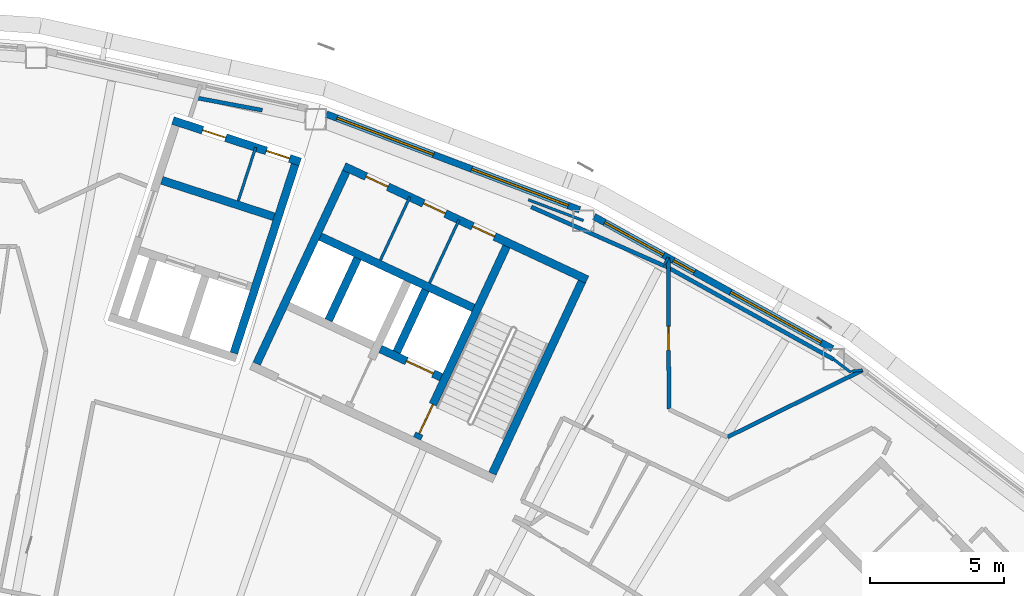
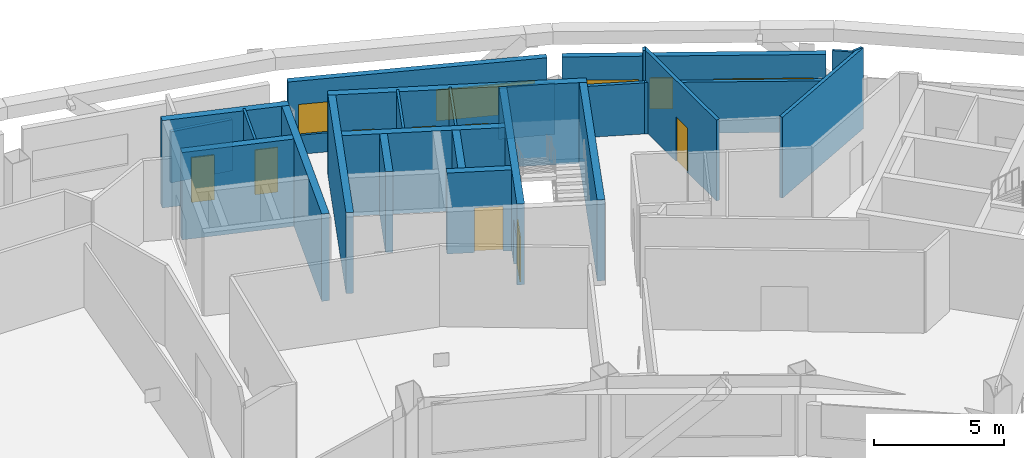
# One storey, part 10 of 21: 25 walls, 8 doors, 5 windows, 13 openings.
"""IFC4 building model written with IfcOpenShell, lengths in metres."""

from ifc_helpers import new_model, si_unit, direction, frame, frame_2d, origin, place, context, subcontext, project, spatial, rectangle, extrude, material, layer, layer_set, type_object, element, fill, save


model = new_model("IFC4")

# Units and contexts
model_context = context("Model", 3, precision=1e-05, world=origin(), true_north=direction((0.0, 1.0)))
body_context = subcontext(model_context, "Body", "Model", "MODEL_VIEW")
ifc_project = project(units=[si_unit("LENGTHUNIT", "METRE"), si_unit("AREAUNIT", "SQUARE_METRE"), si_unit("VOLUMEUNIT", "CUBIC_METRE"), si_unit("PLANEANGLEUNIT", "RADIAN"), si_unit("MASSUNIT", "GRAM", prefix="KILO")], contexts=[model_context])

# Site, building, storey
site_placement = place(None, origin())
site = spatial("IfcSite", under=ifc_project, at=site_placement, CompositionType="ELEMENT")
building_placement = place(site_placement, origin())
building = spatial("IfcBuilding", under=site, at=building_placement, Name="Tuul Gate Civic Tower", CompositionType="ELEMENT")
storey_placement = place(building_placement, frame((0.0, 0.0, 311.0)))
storey = spatial("IfcBuildingStorey", under=building, at=storey_placement, Name="Level 70", CompositionType="ELEMENT", Elevation=311.0)

# Wall, opening, door
ifc_material_1 = material(Name="Concrete C50/60", Category="concrete")
ifc_layer_1 = layer(ifc_material_1, 0.300048828125)
ifc_layer_set_1 = layer_set([ifc_layer_1], Name="Concrete C50/60")
wall_type_1 = type_object("IfcWallType", Name="Core wall C50/60", PredefinedType="SHEAR", material=ifc_layer_set_1)
wall_1_placement = place(storey_placement, frame((32.545654296875, -3.456787109375, 0.0), z_axis=(0.0, 0.0, 1.0), x_axis=(-0.906300357825, 0.42263419337, 0.0)))
wall_1 = element("IfcWall", 1, at=wall_1_placement, inside=storey, type_object=wall_type_1, Name="Core wall", PredefinedType="SHEAR", context=body_context, shape_type="SweptSolid", body=[
    extrude(rectangle(XDim=2.500244140625, YDim=0.300048828125, at=frame_2d((1.25, 0.0))), origin(), (0.0, 0.0, 1.0), 3.800048828125),
])
opening_1_placement = place(wall_1_placement, frame((0.324951171875, 0.0, 0.0)))
opening_1 = element("IfcOpeningElement", 2, at=opening_1_placement, cuts=wall_1, Name="Opening LD-FF-2", PredefinedType="OPENING", context=body_context, shape_type="SweptSolid", body=[
    extrude(rectangle(XDim=1.10009765625, YDim=2.10009765625, at=frame_2d((0.550048828125, 1.050048828125))), frame((0.0, 0.16015625, 0.0), z_axis=(0.0, -1.0, 0.0), x_axis=(1.0, 0.0, 0.0)), (0.0, 0.0, 1.0), 0.320068359375),
])
ifc_material_2 = material(Name="Stainless steel", Category="steel")
door_type_1 = type_object("IfcDoorType", Name="Landing door", OperationType="DOUBLE_DOOR_SLIDING", PredefinedType="DOOR", material=ifc_material_2)
door_1_placement = place(opening_1_placement, origin())
door_1 = element("IfcDoor", 3, at=door_1_placement, inside=storey, type_object=door_type_1, Name="Fire-fighting lift FF-2 landing door", OperationType="DOUBLE_DOOR_SLIDING", OverallHeight=2.10009765625, OverallWidth=1.10009765625, PredefinedType="DOOR", context=body_context, shape_type="SweptSolid", body=[
    extrude(rectangle(XDim=1.10009765625, YDim=2.10009765625, at=frame_2d((0.550048828125, 1.050048828125))), frame((0.0, 0.02490234375, 0.0), z_axis=(0.0, -1.0, 0.0), x_axis=(1.0, 0.0, 0.0)), (0.0, 0.0, 1.0), 0.050048828125),
])
fill(opening_1, door_1)

# Wall
wall_2_placement = place(storey_placement, frame((33.75, -0.873779296875, 0.0), z_axis=(0.0, 0.0, 1.0), x_axis=(-0.906300917592, 0.422632992999, 0.0)))
element("IfcWall", 4, at=wall_2_placement, inside=storey, type_object=wall_type_1, Name="Core wall", PredefinedType="SHEAR", context=body_context, shape_type="SweptSolid", body=[
    extrude(rectangle(XDim=6.300048828125, YDim=0.300048828125, at=frame_2d((3.14990234375, 0.0))), origin(), (0.0, 0.0, 1.0), 3.800048828125),
])

# Wall, openings, doors
wall_3_placement = place(storey_placement, frame((37.993408203125, 0.181884765625, 0.0), z_axis=(0.0, 0.0, 1.0), x_axis=(-0.906310338845, 0.422612789327, 0.0)))
wall_3 = element("IfcWall", 5, at=wall_3_placement, inside=storey, type_object=wall_type_1, Name="Core wall", PredefinedType="SHEAR", context=body_context, shape_type="SweptSolid", body=[
    extrude(rectangle(XDim=9.999755859375, YDim=0.300048828125, at=frame_2d((5.0, 0.0))), origin(), (0.0, 0.0, 1.0), 3.800048828125),
])
opening_2_placement = place(wall_3_placement, frame((3.8125, 0.0, 0.0)))
opening_2 = element("IfcOpeningElement", 6, at=opening_2_placement, cuts=wall_3, Name="Opening Z-D18", PredefinedType="OPENING", context=body_context, shape_type="SweptSolid", body=[
    extrude(rectangle(XDim=0.89990234375, YDim=2.10009765625, at=frame_2d((0.449951171875, 1.050048828125))), frame((0.0, 0.16015625, 0.0), z_axis=(0.0, -1.0, 0.0), x_axis=(1.0, 0.0, 0.0)), (0.0, 0.0, 1.0), 0.320068359375),
])
opening_3_placement = place(wall_3_placement, frame((5.83740234375, 0.0, 0.0)))
opening_3 = element("IfcOpeningElement", 7, at=opening_3_placement, cuts=wall_3, Name="Opening Z-D19", PredefinedType="OPENING", context=body_context, shape_type="SweptSolid", body=[
    extrude(rectangle(XDim=0.89990234375, YDim=2.10009765625, at=frame_2d((0.449951171875, 1.050048828125))), frame((0.0, 0.16015625, 0.0), z_axis=(0.0, -1.0, 0.0), x_axis=(1.0, 0.0, 0.0)), (0.0, 0.0, 1.0), 0.320068359375),
])
opening_4_placement = place(wall_3_placement, frame((8.199951171875, 0.0, 0.0)))
opening_4 = element("IfcOpeningElement", 8, at=opening_4_placement, cuts=wall_3, Name="Opening Z-D20", PredefinedType="OPENING", context=body_context, shape_type="SweptSolid", body=[
    extrude(rectangle(XDim=0.89990234375, YDim=2.10009765625, at=frame_2d((0.449951171875, 1.050048828125))), frame((0.0, 0.16015625, 0.0), z_axis=(0.0, -1.0, 0.0), x_axis=(1.0, 0.0, 0.0)), (0.0, 0.0, 1.0), 0.320068359375),
])
ifc_material_3 = material(Name="Timber door leaf", Category="wood")
door_type_2 = type_object("IfcDoorType", Name="Door D09", OperationType="NOTDEFINED", PredefinedType="DOOR", material=ifc_material_3)
door_2_placement = place(opening_2_placement, origin())
door_2 = element("IfcDoor", 9, at=door_2_placement, inside=storey, type_object=door_type_2, Name="Door Z-D18", OperationType="SINGLE_SWING_LEFT", OverallHeight=2.10009765625, OverallWidth=0.89990234375, PredefinedType="DOOR", context=body_context, shape_type="SweptSolid", body=[
    extrude(rectangle(XDim=0.89990234375, YDim=2.10009765625, at=frame_2d((0.449951171875, 1.050048828125))), frame((0.0, 0.02490234375, 0.0), z_axis=(0.0, -1.0, 0.0), x_axis=(1.0, 0.0, 0.0)), (0.0, 0.0, 1.0), 0.050048828125),
])
fill(opening_2, door_2)
door_3_placement = place(opening_3_placement, origin())
door_3 = element("IfcDoor", 10, at=door_3_placement, inside=storey, type_object=door_type_2, Name="Door Z-D19", OperationType="SINGLE_SWING_LEFT", OverallHeight=2.10009765625, OverallWidth=0.89990234375, PredefinedType="DOOR", context=body_context, shape_type="SweptSolid", body=[
    extrude(rectangle(XDim=0.89990234375, YDim=2.10009765625, at=frame_2d((0.449951171875, 1.050048828125))), frame((0.0, 0.02490234375, 0.0), z_axis=(0.0, -1.0, 0.0), x_axis=(1.0, 0.0, 0.0)), (0.0, 0.0, 1.0), 0.050048828125),
])
fill(opening_3, door_3)
door_4_placement = place(opening_4_placement, origin())
door_4 = element("IfcDoor", 11, at=door_4_placement, inside=storey, type_object=door_type_2, Name="Door Z-D20", OperationType="SINGLE_SWING_RIGHT", OverallHeight=2.10009765625, OverallWidth=0.89990234375, PredefinedType="DOOR", context=body_context, shape_type="SweptSolid", body=[
    extrude(rectangle(XDim=0.89990234375, YDim=2.10009765625, at=frame_2d((0.449951171875, 1.050048828125))), frame((0.0, 0.02490234375, 0.0), z_axis=(0.0, -1.0, 0.0), x_axis=(1.0, 0.0, 0.0)), (0.0, 0.0, 1.0), 0.050048828125),
])
fill(opening_4, door_4)

# Wall
wall_4_placement = place(storey_placement, frame((34.455810546875, -7.05078125, 0.0), z_axis=(0.0, 0.0, 1.0), x_axis=(0.422570768258, 0.906329932096, 0.0)))
element("IfcWall", 12, at=wall_4_placement, inside=storey, type_object=wall_type_1, Name="Core wall", PredefinedType="SHEAR", context=body_context, shape_type="SweptSolid", body=[
    extrude(rectangle(XDim=7.900146484375, YDim=0.300048828125, at=frame_2d((3.9501953125, 0.0))), origin(), (0.0, 0.0, 1.0), 3.800048828125),
])

# Wall, opening, door
wall_5_placement = place(storey_placement, frame((31.646240234375, -5.740478515625, 0.0), z_axis=(0.0, 0.0, 1.0), x_axis=(0.422582604137, 0.906324413596, 0.0)))
wall_5 = element("IfcWall", 13, at=wall_5_placement, inside=storey, type_object=wall_type_1, Name="Core wall", PredefinedType="SHEAR", context=body_context, shape_type="SweptSolid", body=[
    extrude(rectangle(XDim=7.89990234375, YDim=0.300048828125, at=frame_2d((3.949951171875, 0.0))), origin(), (0.0, 0.0, 1.0), 3.800048828125),
])
opening_5_placement = place(wall_5_placement, frame((0.199951171875, 0.0, 0.0)))
opening_5 = element("IfcOpeningElement", 14, at=opening_5_placement, cuts=wall_5, Name="Opening SD-ST-4", PredefinedType="OPENING", context=body_context, shape_type="SweptSolid", body=[
    extrude(rectangle(XDim=1.199951171875, YDim=2.10009765625, at=frame_2d((0.60009765625, 1.050048828125))), frame((0.0, 0.16015625, 0.0), z_axis=(0.0, -1.0, 0.0), x_axis=(1.0, 0.0, 0.0)), (0.0, 0.0, 1.0), 0.320068359375),
])
ifc_material_4 = material(Name="Steel", Category="steel")
door_type_3 = type_object("IfcDoorType", Name="Stair door", OperationType="NOTDEFINED", PredefinedType="DOOR", material=ifc_material_4)
door_5_placement = place(opening_5_placement, origin())
door_5 = element("IfcDoor", 15, at=door_5_placement, inside=storey, type_object=door_type_3, Name="Stair door ST-4", OperationType="SINGLE_SWING_LEFT", OverallHeight=2.10009765625, OverallWidth=1.199951171875, PredefinedType="DOOR", context=body_context, shape_type="SweptSolid", body=[
    extrude(rectangle(XDim=1.199951171875, YDim=2.10009765625, at=frame_2d((0.60009765625, 1.050048828125))), frame((0.0, 0.02490234375, 0.0), z_axis=(0.0, -1.0, 0.0), x_axis=(1.0, 0.0, 0.0)), (0.0, 0.0, 1.0), 0.050048828125),
])
fill(opening_5, door_5)

# Walls
for number, where, z_axis, x_axis, name in (
    (16, (30.886962890625, -2.517822265625, 0.0), (0.0, 0.0, 1.0), (0.422612891016, 0.906310291427, 0.0), "Core wall"),
    (17, (28.349365234375, -1.33447265625, 0.0), (0.0, 0.0, 1.0), (0.422612891016, 0.906310291427, 0.0), "Core wall"),
):
    element("IfcWall", number, at=place(storey_placement, frame(where, z_axis=z_axis, x_axis=x_axis)), inside=storey, type_object=wall_type_1, Name=name, PredefinedType="SHEAR", context=body_context, shape_type="SweptSolid", body=[
        extrude(rectangle(XDim=2.550048828125, YDim=0.300048828125, at=frame_2d((1.27490234375, 0.0))), origin(), (0.0, 0.0, 1.0), 3.800048828125),
    ])
wall_6_placement = place(storey_placement, frame((25.66455078125, -2.951416015625, 0.0), z_axis=(0.0, 0.0, 1.0), x_axis=(0.422582604137, 0.906324413596, 0.0)))
element("IfcWall", 18, at=wall_6_placement, inside=storey, type_object=wall_type_1, Name="Core wall", PredefinedType="SHEAR", context=body_context, shape_type="SweptSolid", body=[
    extrude(rectangle(XDim=7.89990234375, YDim=0.300048828125, at=frame_2d((3.949951171875, 0.0))), origin(), (0.0, 0.0, 1.0), 3.800048828125),
])
ifc_material_5 = material(Name="Gypsum board partition")
ifc_layer_2 = layer(ifc_material_5, 0.14990234375)
ifc_layer_set_2 = layer_set([ifc_layer_2], Name="Gypsum board partition")
wall_type_2 = type_object("IfcWallType", Name="Corridor wall P150", PredefinedType="PARTITIONING", material=ifc_layer_set_2)
wall_7_placement = place(storey_placement, frame((43.229736328125, -5.68701171875, 0.0), z_axis=(0.0, 0.0, 1.0), x_axis=(0.8960553107, 0.443942428887, 0.0)))
element("IfcWall", 19, at=wall_7_placement, inside=storey, type_object=wall_type_2, Name="p008", PredefinedType="PARTITIONING", context=body_context, shape_type="SweptSolid", body=[
    extrude(rectangle(XDim=5.61767578125, YDim=0.14990234375, at=frame_2d((2.808837890625, 0.0))), origin(), (0.0, 0.0, 1.0), 3.800048828125),
])

# Wall, opening, door
wall_8_placement = place(storey_placement, frame((41.015380859375, 1.009521484375, 0.0), z_axis=(0.0, 0.0, 1.0), x_axis=(0.004751771486, -0.99998871027, 0.0)))
wall_8 = element("IfcWall", 20, at=wall_8_placement, inside=storey, type_object=wall_type_2, Name="p010", PredefinedType="PARTITIONING", context=body_context, shape_type="SweptSolid", body=[
    extrude(rectangle(XDim=5.651611328125, YDim=0.14990234375, at=frame_2d((2.82568359375, 0.0))), origin(), (0.0, 0.0, 1.0), 3.800048828125),
])
opening_6_placement = place(wall_8_placement, frame((2.5654296875, 0.0, 0.0)))
opening_6 = element("IfcOpeningElement", 21, at=opening_6_placement, cuts=wall_8, Name="Opening Z-D02", PredefinedType="OPENING", context=body_context, shape_type="SweptSolid", body=[
    extrude(rectangle(XDim=0.89990234375, YDim=2.10009765625, at=frame_2d((0.449951171875, 1.050048828125))), frame((0.0, 0.0849609375, 0.0), z_axis=(0.0, -1.0, 0.0), x_axis=(1.0, 0.0, 0.0)), (0.0, 0.0, 1.0), 0.169921875),
])
door_6_placement = place(opening_6_placement, origin())
door_6 = element("IfcDoor", 22, at=door_6_placement, inside=storey, type_object=door_type_2, Name="Door Z-D02", OperationType="SINGLE_SWING_LEFT", OverallHeight=2.10009765625, OverallWidth=0.89990234375, PredefinedType="DOOR", context=body_context, shape_type="SweptSolid", body=[
    extrude(rectangle(XDim=0.89990234375, YDim=2.10009765625, at=frame_2d((0.449951171875, 1.050048828125))), frame((0.0, 0.02490234375, 0.0), z_axis=(0.0, -1.0, 0.0), x_axis=(1.0, 0.0, 0.0)), (0.0, 0.0, 1.0), 0.050048828125),
])
fill(opening_6, door_6)

# Walls
ifc_material_6 = material(Name="Gypsum board partition")
ifc_layer_3 = layer(ifc_material_6, 0.14990234375)
ifc_layer_set_3 = layer_set([ifc_layer_3], Name="Gypsum board partition")
wall_type_3 = type_object("IfcWallType", Name="Corridor wall P150 2400 HIGH", PredefinedType="PARTITIONING", material=ifc_layer_set_3)
wall_9_placement = place(storey_placement, frame((40.86962890625, 0.712890625, 0.0), z_axis=(0.0, 0.0, 1.0), x_axis=(0.874525125751, -0.484980210348, 0.0)))
element("IfcWall", 23, at=wall_9_placement, inside=storey, type_object=wall_type_3, Name="p007", PredefinedType="PARTITIONING", context=body_context, shape_type="SweptSolid", body=[
    extrude(rectangle(XDim=7.226806640625, YDim=0.14990234375, at=frame_2d((3.61328125, 0.0))), origin(), (0.0, 0.0, 1.0), 2.39990234375),
])
wall_10_placement = place(storey_placement, frame((35.905517578125, 2.8955078125, 0.0), z_axis=(0.0, 0.0, 1.0), x_axis=(0.914307183638, -0.40502144875, 0.0)))
element("IfcWall", 24, at=wall_10_placement, inside=storey, type_object=wall_type_3, Name="p011", PredefinedType="PARTITIONING", context=body_context, shape_type="SweptSolid", body=[
    extrude(rectangle(XDim=5.416015625, YDim=0.14990234375, at=frame_2d((2.7080078125, 0.0))), origin(), (0.0, 0.0, 1.0), 2.39990234375),
])
wall_11_placement = place(storey_placement, frame((23.41455078125, 6.964599609375, 0.0), z_axis=(0.0, 0.0, 1.0), x_axis=(0.982815842125, -0.184588787493, 0.0)))
element("IfcWall", 25, at=wall_11_placement, inside=storey, type_object=wall_type_3, Name="p013", PredefinedType="PARTITIONING", context=body_context, shape_type="SweptSolid", body=[
    extrude(rectangle(XDim=2.503662109375, YDim=0.14990234375, at=frame_2d((1.251953125, 0.0))), origin(), (0.0, 0.0, 1.0), 2.39990234375),
])

# Wall, openings, windows
ifc_material_7 = material(Name="Precast concrete C40/50", Category="concrete")
ifc_layer_4 = layer(ifc_material_7, 0.25)
ifc_layer_set_4 = layer_set([ifc_layer_4], Name="Precast concrete C40/50")
wall_type_4 = type_object("IfcWallType", Name="External wall", PredefinedType="STANDARD", material=ifc_layer_set_4)
wall_12_placement = place(storey_placement, frame((47.139404296875, -2.39111328125, 0.0), z_axis=(0.0, 0.0, 1.0), x_axis=(-0.874604551877, 0.484836960055, 0.0)))
wall_12 = element("IfcWall", 26, at=wall_12_placement, inside=storey, type_object=wall_type_4, Name="External wall", PredefinedType="STANDARD", context=body_context, shape_type="SweptSolid", body=[
    extrude(rectangle(XDim=10.16162109375, YDim=0.25, at=frame_2d((5.080810546875, 0.0))), origin(), (0.0, 0.0, 1.0), 3.449951171875),
])
opening_7_placement = place(wall_12_placement, frame((0.489990234375, 0.0, 0.89990234375)))
opening_7 = element("IfcOpeningElement", 27, at=opening_7_placement, cuts=wall_12, Name="Opening W103", PredefinedType="OPENING", context=body_context, shape_type="SweptSolid", body=[
    extrude(rectangle(XDim=3.85009765625, YDim=1.449951171875, at=frame_2d((1.925048828125, 0.72509765625))), frame((0.0, 0.135009765625, 0.0), z_axis=(0.0, -1.0, 0.0), x_axis=(1.0, 0.0, 0.0)), (0.0, 0.0, 1.0), 0.27001953125),
])
opening_8_placement = place(wall_12_placement, frame((5.883056640625, 0.0, 0.89990234375)))
opening_8 = element("IfcOpeningElement", 28, at=opening_8_placement, cuts=wall_12, Name="Opening W130", PredefinedType="OPENING", context=body_context, shape_type="SweptSolid", body=[
    extrude(rectangle(XDim=0.89990234375, YDim=1.449951171875, at=frame_2d((0.449951171875, 0.72509765625))), frame((0.0, 0.135009765625, 0.0), z_axis=(0.0, -1.0, 0.0), x_axis=(1.0, 0.0, 0.0)), (0.0, 0.0, 1.0), 0.27001953125),
])
opening_9_placement = place(wall_12_placement, frame((7.2080078125, 0.0, 0.89990234375)))
opening_9 = element("IfcOpeningElement", 29, at=opening_9_placement, cuts=wall_12, Name="Opening W131", PredefinedType="OPENING", context=body_context, shape_type="SweptSolid", body=[
    extrude(rectangle(XDim=2.5, YDim=1.449951171875, at=frame_2d((1.25, 0.72509765625))), frame((0.0, 0.135009765625, 0.0), z_axis=(0.0, -1.0, 0.0), x_axis=(1.0, 0.0, 0.0)), (0.0, 0.0, 1.0), 0.27001953125),
])
ifc_material_8 = material(Name="Glass", Category="glass")
window_type_1 = type_object("IfcWindowType", Name="Window W103 3850 x 1450", PartitioningType="SINGLE_PANEL", PredefinedType="WINDOW", material=ifc_material_8)
window_1_placement = place(opening_7_placement, origin())
window_1 = element("IfcWindow", 30, at=window_1_placement, inside=storey, type_object=window_type_1, Name="Window", OverallHeight=1.449951171875, OverallWidth=3.85009765625, PartitioningType="SINGLE_PANEL", PredefinedType="WINDOW", context=body_context, shape_type="SweptSolid", body=[
    extrude(rectangle(XDim=3.85009765625, YDim=1.449951171875, at=frame_2d((1.925048828125, 0.72509765625))), frame((0.0, 0.030029296875, 0.0), z_axis=(0.0, -1.0, 0.0), x_axis=(1.0, 0.0, 0.0)), (0.0, 0.0, 1.0), 0.06005859375),
])
fill(opening_7, window_1)
ifc_material_9 = material(Name="Glass", Category="glass")
window_type_2 = type_object("IfcWindowType", Name="Window W130 900 x 1450", PartitioningType="SINGLE_PANEL", PredefinedType="WINDOW", material=ifc_material_9)
window_2_placement = place(opening_8_placement, origin())
window_2 = element("IfcWindow", 31, at=window_2_placement, inside=storey, type_object=window_type_2, Name="Window", OverallHeight=1.449951171875, OverallWidth=0.89990234375, PartitioningType="SINGLE_PANEL", PredefinedType="WINDOW", context=body_context, shape_type="SweptSolid", body=[
    extrude(rectangle(XDim=0.89990234375, YDim=1.449951171875, at=frame_2d((0.449951171875, 0.72509765625))), frame((0.0, 0.030029296875, 0.0), z_axis=(0.0, -1.0, 0.0), x_axis=(1.0, 0.0, 0.0)), (0.0, 0.0, 1.0), 0.06005859375),
])
fill(opening_8, window_2)
ifc_material_10 = material(Name="Glass", Category="glass")
window_type_3 = type_object("IfcWindowType", Name="Window W131 2500 x 1450", PartitioningType="SINGLE_PANEL", PredefinedType="WINDOW", material=ifc_material_10)
window_3_placement = place(opening_9_placement, origin())
window_3 = element("IfcWindow", 32, at=window_3_placement, inside=storey, type_object=window_type_3, Name="Window", OverallHeight=1.449951171875, OverallWidth=2.5, PartitioningType="SINGLE_PANEL", PredefinedType="WINDOW", context=body_context, shape_type="SweptSolid", body=[
    extrude(rectangle(XDim=2.5, YDim=1.449951171875, at=frame_2d((1.25, 0.72509765625))), frame((0.0, 0.030029296875, 0.0), z_axis=(0.0, -1.0, 0.0), x_axis=(1.0, 0.0, 0.0)), (0.0, 0.0, 1.0), 0.06005859375),
])
fill(opening_9, window_3)

wall_13_placement = place(storey_placement, frame((37.715087890625, 2.784912109375, 0.0), z_axis=(0.0, 0.0, 1.0), x_axis=(-0.935360382643, 0.353696133118, 0.0)))
wall_13 = element("IfcWall", 33, at=wall_13_placement, inside=storey, type_object=wall_type_4, Name="External wall", PredefinedType="STANDARD", context=body_context, shape_type="SweptSolid", body=[
    extrude(rectangle(XDim=10.103271484375, YDim=0.25, at=frame_2d((5.0517578125, 0.0))), origin(), (0.0, 0.0, 1.0), 3.449951171875),
])
opening_10_placement = place(wall_13_placement, frame((0.458984375, 0.0, 0.89990234375)))
opening_10 = element("IfcOpeningElement", 34, at=opening_10_placement, cuts=wall_13, Name="Opening W103", PredefinedType="OPENING", context=body_context, shape_type="SweptSolid", body=[
    extrude(rectangle(XDim=3.85009765625, YDim=1.449951171875, at=frame_2d((1.925048828125, 0.72509765625))), frame((0.0, 0.135009765625, 0.0), z_axis=(0.0, -1.0, 0.0), x_axis=(1.0, 0.0, 0.0)), (0.0, 0.0, 1.0), 0.27001953125),
])
opening_11_placement = place(wall_13_placement, frame((5.830078125, 0.0, 0.89990234375)))
opening_11 = element("IfcOpeningElement", 35, at=opening_11_placement, cuts=wall_13, Name="Opening W103", PredefinedType="OPENING", context=body_context, shape_type="SweptSolid", body=[
    extrude(rectangle(XDim=3.85009765625, YDim=1.449951171875, at=frame_2d((1.925048828125, 0.72509765625))), frame((0.0, 0.135009765625, 0.0), z_axis=(0.0, -1.0, 0.0), x_axis=(1.0, 0.0, 0.0)), (0.0, 0.0, 1.0), 0.27001953125),
])
window_4_placement = place(opening_10_placement, origin())
window_4 = element("IfcWindow", 36, at=window_4_placement, inside=storey, type_object=window_type_1, Name="Window", OverallHeight=1.449951171875, OverallWidth=3.85009765625, PartitioningType="SINGLE_PANEL", PredefinedType="WINDOW", context=body_context, shape_type="SweptSolid", body=[
    extrude(rectangle(XDim=3.85009765625, YDim=1.449951171875, at=frame_2d((1.925048828125, 0.72509765625))), frame((0.0, 0.030029296875, 0.0), z_axis=(0.0, -1.0, 0.0), x_axis=(1.0, 0.0, 0.0)), (0.0, 0.0, 1.0), 0.06005859375),
])
fill(opening_10, window_4)
window_5_placement = place(opening_11_placement, origin())
window_5 = element("IfcWindow", 37, at=window_5_placement, inside=storey, type_object=window_type_1, Name="Window", OverallHeight=1.449951171875, OverallWidth=3.85009765625, PartitioningType="SINGLE_PANEL", PredefinedType="WINDOW", context=body_context, shape_type="SweptSolid", body=[
    extrude(rectangle(XDim=3.85009765625, YDim=1.449951171875, at=frame_2d((1.925048828125, 0.72509765625))), frame((0.0, 0.030029296875, 0.0), z_axis=(0.0, -1.0, 0.0), x_axis=(1.0, 0.0, 0.0)), (0.0, 0.0, 1.0), 0.06005859375),
])
fill(opening_11, window_5)

# Wall
ifc_material_11 = material(Name="Concrete C40/50", Category="concrete")
ifc_layer_5 = layer(ifc_material_11, 0.300048828125)
ifc_layer_set_5 = layer_set([ifc_layer_5], Name="Concrete C40/50")
wall_type_5 = type_object("IfcWallType", Name="Lift shaft wall C40/50", PredefinedType="STANDARD", material=ifc_layer_set_5)
wall_14_placement = place(storey_placement, frame((26.310546875, 2.529541015625, -0.300048828125), z_axis=(0.0, 0.0, 1.0), x_axis=(-0.951058531764, 0.30901079133, 0.0)))
element("IfcWall", 38, at=wall_14_placement, inside=storey, type_object=wall_type_5, Name="Shaft wall", PredefinedType="STANDARD", context=body_context, shape_type="SweptSolid", body=[
    extrude(rectangle(XDim=4.39990234375, YDim=0.300048828125, at=frame_2d((2.199951171875, 0.0))), origin(), (0.0, 0.0, 1.0), 4.10009765625),
])

# Wall, openings, doors
wall_15_placement = place(storey_placement, frame((27.29150390625, 4.57666015625, -0.300048828125), z_axis=(0.0, 0.0, 1.0), x_axis=(-0.951067792613, 0.308982287281, 0.0)))
wall_15 = element("IfcWall", 39, at=wall_15_placement, inside=storey, type_object=wall_type_5, Name="Shaft wall", PredefinedType="STANDARD", context=body_context, shape_type="SweptSolid", body=[
    extrude(rectangle(XDim=5.0, YDim=0.300048828125, at=frame_2d((2.5, 0.0))), origin(), (0.0, 0.0, 1.0), 4.10009765625),
])
opening_12_placement = place(wall_15_placement, frame((0.425048828125, 0.0, 0.0)))
opening_12 = element("IfcOpeningElement", 40, at=opening_12_placement, cuts=wall_15, Name="Opening Z-D21", PredefinedType="OPENING", context=body_context, shape_type="SweptSolid", body=[
    extrude(rectangle(XDim=0.89990234375, YDim=2.10009765625, at=frame_2d((0.449951171875, 1.050048828125))), frame((0.0, 0.16015625, 0.0), z_axis=(0.0, -1.0, 0.0), x_axis=(1.0, 0.0, 0.0)), (0.0, 0.0, 1.0), 0.320068359375),
])
opening_13_placement = place(wall_15_placement, frame((2.925048828125, 0.0, 0.0)))
opening_13 = element("IfcOpeningElement", 41, at=opening_13_placement, cuts=wall_15, Name="Opening Z-D22", PredefinedType="OPENING", context=body_context, shape_type="SweptSolid", body=[
    extrude(rectangle(XDim=0.89990234375, YDim=2.10009765625, at=frame_2d((0.449951171875, 1.050048828125))), frame((0.0, 0.16015625, 0.0), z_axis=(0.0, -1.0, 0.0), x_axis=(1.0, 0.0, 0.0)), (0.0, 0.0, 1.0), 0.320068359375),
])
door_7_placement = place(opening_12_placement, origin())
door_7 = element("IfcDoor", 42, at=door_7_placement, inside=storey, type_object=door_type_2, Name="Door Z-D21", OperationType="SINGLE_SWING_LEFT", OverallHeight=2.10009765625, OverallWidth=0.89990234375, PredefinedType="DOOR", context=body_context, shape_type="SweptSolid", body=[
    extrude(rectangle(XDim=0.89990234375, YDim=2.10009765625, at=frame_2d((0.449951171875, 1.050048828125))), frame((0.0, 0.02490234375, 0.0), z_axis=(0.0, -1.0, 0.0), x_axis=(1.0, 0.0, 0.0)), (0.0, 0.0, 1.0), 0.050048828125),
])
fill(opening_12, door_7)
door_8_placement = place(opening_13_placement, origin())
door_8 = element("IfcDoor", 43, at=door_8_placement, inside=storey, type_object=door_type_2, Name="Door Z-D22", OperationType="SINGLE_SWING_RIGHT", OverallHeight=2.10009765625, OverallWidth=0.89990234375, PredefinedType="DOOR", context=body_context, shape_type="SweptSolid", body=[
    extrude(rectangle(XDim=0.89990234375, YDim=2.10009765625, at=frame_2d((0.449951171875, 1.050048828125))), frame((0.0, 0.02490234375, 0.0), z_axis=(0.0, -1.0, 0.0), x_axis=(1.0, 0.0, 0.0)), (0.0, 0.0, 1.0), 0.050048828125),
])
fill(opening_13, door_8)

# Walls
wall_16_placement = place(storey_placement, frame((24.815185546875, -2.557373046875, -0.300048828125), z_axis=(0.0, 0.0, 1.0), x_axis=(0.30907264409, 0.951038432807, 0.0)))
element("IfcWall", 44, at=wall_16_placement, inside=storey, type_object=wall_type_5, Name="Shaft wall", PredefinedType="STANDARD", context=body_context, shape_type="SweptSolid", body=[
    extrude(rectangle(XDim=7.39990234375, YDim=0.300048828125, at=frame_2d((3.699951171875, 0.0))), origin(), (0.0, 0.0, 1.0), 4.10009765625),
])
ifc_material_12 = material(Name="Gypsum board partition")
ifc_layer_6 = layer(ifc_material_12, 0.10009765625)
ifc_layer_set_6 = layer_set([ifc_layer_6], Name="Gypsum board partition")
wall_type_6 = type_object("IfcWallType", Name="Partition P100", PredefinedType="PARTITIONING", material=ifc_layer_set_6)
wall_17_placement = place(storey_placement, frame((47.190185546875, -2.790771484375, 0.0), z_axis=(0.0, 0.0, 1.0), x_axis=(0.795629127365, -0.605784030565, 0.0)))
element("IfcWall", 45, at=wall_17_placement, inside=storey, type_object=wall_type_6, Name="p085", PredefinedType="PARTITIONING", context=body_context, shape_type="SweptSolid", body=[
    extrude(rectangle(XDim=0.794677734375, YDim=0.10009765625, at=frame_2d((0.3974609375, 0.0))), origin(), (0.0, 0.0, 1.0), 3.800048828125),
])
wall_18_placement = place(storey_placement, frame((48.263427734375, -3.193115234375, 0.0), z_axis=(0.0, 0.0, 1.0), x_axis=(-0.995450141259, -0.095283872023, 0.0)))
element("IfcWall", 46, at=wall_18_placement, inside=storey, type_object=wall_type_6, Name="p087", PredefinedType="PARTITIONING", context=body_context, shape_type="SweptSolid", body=[
    extrude(rectangle(XDim=0.41259765625, YDim=0.10009765625, at=frame_2d((0.206298828125, 0.0))), origin(), (0.0, 0.0, 1.0), 3.800048828125),
])
wall_19_placement = place(storey_placement, frame((41.015380859375, 1.009521484375, 0.0), z_axis=(0.0, 0.0, 1.0), x_axis=(-0.48548031912, -0.874247596364, 0.0)))
element("IfcWall", 47, at=wall_19_placement, inside=storey, type_object=wall_type_6, Name="p088", PredefinedType="PARTITIONING", context=body_context, shape_type="SweptSolid", body=[
    extrude(rectangle(XDim=0.2548828125, YDim=0.10009765625, at=frame_2d((0.12744140625, 0.0))), origin(), (0.0, 0.0, 1.0), 3.800048828125),
])
for number, where, z_axis, x_axis, name in (
    (48, (32.114013671875, 0.0546875, 0.0), (0.0, 0.0, 1.0), (0.422556439746, 0.906336612539, 0.0), "bE3-BAND-0"),
    (49, (30.27880859375, 0.910400390625, 0.0), (0.0, 0.0, 1.0), (0.422556439746, 0.906336612539, 0.0), "bE3-BAND-1"),
):
    element("IfcWall", number, at=place(storey_placement, frame(where, z_axis=z_axis, x_axis=x_axis)), inside=storey, type_object=wall_type_6, Name=name, PredefinedType="PARTITIONING", context=body_context, shape_type="SweptSolid", body=[
        extrude(rectangle(XDim=2.599853515625, YDim=0.10009765625, at=frame_2d((1.2998046875, 0.0))), origin(), (0.0, 0.0, 1.0), 3.800048828125),
    ])
wall_20_placement = place(storey_placement, frame((24.977783203125, 3.1201171875, 0.0), z_axis=(0.0, 0.0, 1.0), x_axis=(0.309104472251, 0.951028088562, 0.0)))
element("IfcWall", 50, at=wall_20_placement, inside=storey, type_object=wall_type_6, Name="bE4-BAND-0", PredefinedType="PARTITIONING", context=body_context, shape_type="SweptSolid", body=[
    extrude(rectangle(XDim=2.10009765625, YDim=0.10009765625, at=frame_2d((1.050048828125, 0.0))), origin(), (0.0, 0.0, 1.0), 3.800048828125),
])
ifc_material_13 = material(Name="Gypsum board partition")
ifc_layer_7 = layer(ifc_material_13, 0.10009765625)
ifc_layer_set_7 = layer_set([ifc_layer_7], Name="Gypsum board partition")
wall_type_7 = type_object("IfcWallType", Name="Partition P100 2400 HIGH", PredefinedType="PARTITIONING", material=ifc_layer_set_7)
wall_21_placement = place(storey_placement, frame((35.798095703125, 3.162353515625, 0.0), z_axis=(0.0, 0.0, 1.0), x_axis=(0.935347899362, -0.35372914378, 0.0)))
element("IfcWall", 51, at=wall_21_placement, inside=storey, type_object=wall_type_7, Name="p086", PredefinedType="PARTITIONING", context=body_context, shape_type="SweptSolid", body=[
    extrude(rectangle(XDim=2.1962890625, YDim=0.10009765625, at=frame_2d((1.09814453125, 0.0))), origin(), (0.0, 0.0, 1.0), 2.39990234375),
])

save(model, "model.ifc")
